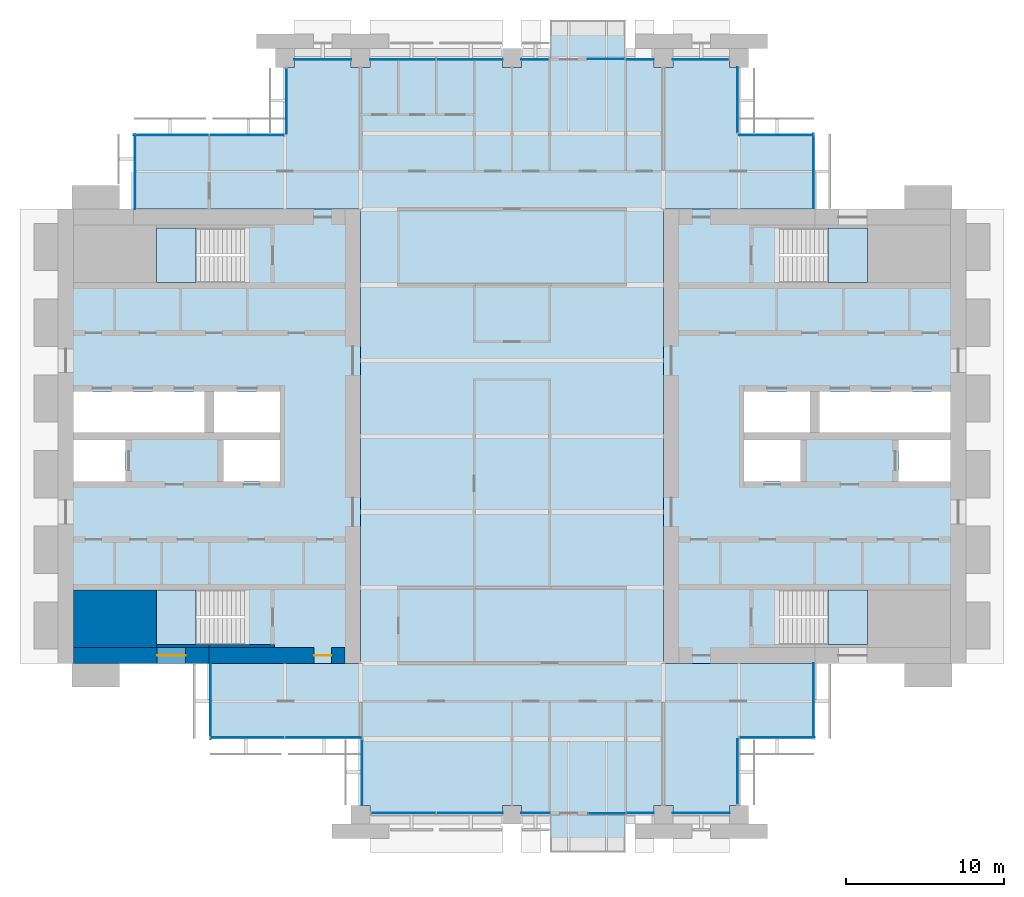
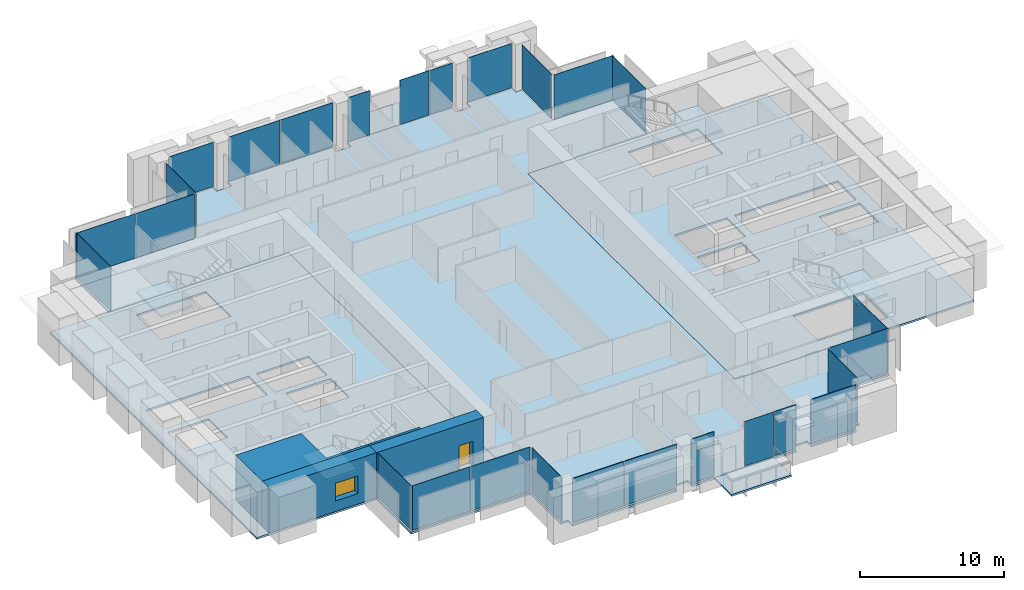
# One storey, part 8 of 15: 27 plates, 9 slabs, 5 walls, 1 door, 1 window, 2 openings, 22 elements without a shape of their own.
"""IFC4 building model written with IfcOpenShell, lengths in metres."""

from ifc_helpers import new_model, si_unit, direction, frame, frame_2d, origin, origin_2d, place, context, subcontext, project, spatial, polyline, rectangle, outline, extrude, material, layer, layer_set, type_object, element, fill, aggregate, save


model = new_model("IFC4")

# Units and contexts
model_context = context("Model", 3, precision=1e-05, world=origin(), true_north=direction((0.0, 1.0)))
body_context = subcontext(model_context, "Body", "Model", "MODEL_VIEW")
ifc_project = project(units=[si_unit("LENGTHUNIT", "METRE"), si_unit("AREAUNIT", "SQUARE_METRE"), si_unit("VOLUMEUNIT", "CUBIC_METRE"), si_unit("PLANEANGLEUNIT", "RADIAN"), si_unit("MASSUNIT", "GRAM", prefix="KILO")], contexts=[model_context])

# Site, building, storey
site_placement = place(None, origin())
site = spatial("IfcSite", under=ifc_project, at=site_placement, CompositionType="ELEMENT")
building_placement = place(site_placement, origin())
building = spatial("IfcBuilding", under=site, at=building_placement, Name="Baori Bourse Tower", CompositionType="ELEMENT")
storey_placement = place(building_placement, frame((0.0, 0.0, 164.10009765625)))
storey = spatial("IfcBuildingStorey", under=building, at=storey_placement, Name="L36", CompositionType="ELEMENT", Elevation=164.10009765625)

# Slabs
ifc_material_1 = material(Name="Concrete f'c 40 MPa", Category="concrete")
ifc_layer_1 = layer(ifc_material_1, 0.159912109375)
ifc_layer_set_1 = layer_set([ifc_layer_1], Name="BL2 Balcony slab 160")
slab_type_1 = type_object("IfcSlabType", Name="BL2 Balcony slab 160", PredefinedType="FLOOR", material=ifc_layer_set_1)
slab_1_placement = place(storey_placement, frame((0.0, 0.0, -0.16015625)))
element("IfcSlab", 1, at=slab_1_placement, inside=storey, type_object=slab_type_1, Name="Balcony slab L36 S", PredefinedType="FLOOR", context=body_context, shape_type="SweptSolid", body=[
    extrude(outline(polyline([(31.199951171875, 0.0), (31.199951171875, -2.39990234375), (36.0, -2.39990234375), (36.0, 0.0), (31.199951171875, 0.0)])), origin(), (0.0, 0.0, 1.0), 0.16015625),
])
slab_2_placement = place(storey_placement, frame((0.0, 0.0, -0.16015625)))
element("IfcSlab", 2, at=slab_2_placement, inside=storey, type_object=slab_type_1, Name="Balcony slab L36 N", PredefinedType="FLOOR", context=body_context, shape_type="SweptSolid", body=[
    extrude(outline(polyline([(31.199951171875, 48.0), (36.0, 48.0), (36.0, 50.39990234375), (31.199951171875, 50.39990234375), (31.199951171875, 48.0)])), origin(), (0.0, 0.0, 1.0), 0.16015625),
])

# Curtain wall, plates
ifc_material_2 = material(Name="Pale anodised aluminium", Category="aluminium")
curtain_wall_type_1 = type_object("IfcCurtainWallType", Name="CW1 Curtain wall", PredefinedType="NOTDEFINED", material=ifc_material_2)
curtain_wall_1_placement = place(storey_placement, origin())
curtain_wall_1 = element("IfcCurtainWall", 3, at=curtain_wall_1_placement, inside=storey, type_object=curtain_wall_type_1, Name="Curtain wall CW1 L36 4", PredefinedType="NOTDEFINED")
ifc_material_3 = material(Name="Clear glass", Category="glass")
ifc_layer_2 = layer(ifc_material_3, 0.033935546875)
ifc_layer_set_2 = layer_set([ifc_layer_2], Name="CW1 Curtain wall panel")
plate_type_1 = type_object("IfcPlateType", Name="CW1 Curtain wall panel", PredefinedType="CURTAIN_PANEL", material=ifc_layer_set_2)
plate_1_placement = place(storey_placement, frame((40.77001953125, 47.89990234375, 0.080078125), z_axis=(0.0, 0.0, 1.0), x_axis=(-1.0, 0.0, 0.0)))
plate_1 = element("IfcPlate", 4, at=plate_1_placement, type_object=plate_type_1, Name="Curtain wall CW1 panel", PredefinedType="CURTAIN_PANEL", context=body_context, shape_type="SweptSolid", body=[
    extrude(rectangle(XDim=3.5400390625, YDim=0.033935546875, at=origin_2d()), origin(), (0.0, 0.0, 1.0), 3.760009765625),
])
plate_2_placement = place(storey_placement, frame((36.89990234375, 47.89990234375, 0.080078125), z_axis=(0.0, 0.0, 1.0), x_axis=(-1.0, 0.0, 0.0)))
plate_2 = element("IfcPlate", 5, at=plate_2_placement, type_object=plate_type_1, Name="Curtain wall CW1 panel", PredefinedType="CURTAIN_PANEL", context=body_context, shape_type="SweptSolid", body=[
    extrude(rectangle(XDim=1.800048828125, YDim=0.033935546875, at=origin_2d()), origin(), (0.0, 0.0, 1.0), 3.760009765625),
])
aggregate(curtain_wall_1, [plate_1, plate_2])

curtain_wall_2_placement = place(storey_placement, origin())
curtain_wall_2 = element("IfcCurtainWall", 6, at=curtain_wall_2_placement, inside=storey, type_object=curtain_wall_type_1, Name="Curtain wall CW1 L36 6", PredefinedType="NOTDEFINED")
plate_3_placement = place(storey_placement, frame((30.27001953125, 47.89990234375, 0.080078125), z_axis=(0.0, 0.0, 1.0), x_axis=(-1.0, 0.0, 0.0)))
plate_3 = element("IfcPlate", 7, at=plate_3_placement, type_object=plate_type_1, Name="Curtain wall CW1 panel", PredefinedType="CURTAIN_PANEL", context=body_context, shape_type="SweptSolid", body=[
    extrude(rectangle(XDim=1.739990234375, YDim=0.033935546875, at=origin_2d()), origin(), (0.0, 0.0, 1.0), 3.760009765625),
])
plate_4_placement = place(storey_placement, frame((26.114990234375, 47.89990234375, 0.080078125), z_axis=(0.0, 0.0, 1.0), x_axis=(-1.0, 0.0, 0.0)))
plate_4 = element("IfcPlate", 8, at=plate_4_placement, type_object=plate_type_1, Name="Curtain wall CW1 panel", PredefinedType="CURTAIN_PANEL", context=body_context, shape_type="SweptSolid", body=[
    extrude(rectangle(XDim=4.169921875, YDim=0.033935546875, at=origin_2d()), origin(), (0.0, 0.0, 1.0), 3.760009765625),
])
plate_5_placement = place(storey_placement, frame((21.885009765625, 47.89990234375, 0.080078125), z_axis=(0.0, 0.0, 1.0), x_axis=(-1.0, 0.0, 0.0)))
plate_5 = element("IfcPlate", 9, at=plate_5_placement, type_object=plate_type_1, Name="Curtain wall CW1 panel", PredefinedType="CURTAIN_PANEL", context=body_context, shape_type="SweptSolid", body=[
    extrude(rectangle(XDim=4.169921875, YDim=0.033935546875, at=origin_2d()), origin(), (0.0, 0.0, 1.0), 3.760009765625),
])
plate_6_placement = place(storey_placement, frame((16.800048828125, 47.89990234375, 0.080078125), z_axis=(0.0, 0.0, 1.0), x_axis=(-1.0, 0.0, 0.0)))
plate_6 = element("IfcPlate", 10, at=plate_6_placement, type_object=plate_type_1, Name="Curtain wall CW1 panel", PredefinedType="CURTAIN_PANEL", context=body_context, shape_type="SweptSolid", body=[
    extrude(rectangle(XDim=3.60009765625, YDim=0.033935546875, at=origin_2d()), origin(), (0.0, 0.0, 1.0), 3.760009765625),
])
aggregate(curtain_wall_2, [plate_3, plate_4, plate_5, plate_6])

curtain_wall_3_placement = place(storey_placement, origin())
curtain_wall_3 = element("IfcCurtainWall", 11, at=curtain_wall_3_placement, inside=storey, type_object=curtain_wall_type_1, Name="Curtain wall CW1 L36 13", PredefinedType="NOTDEFINED")
plate_7_placement = place(storey_placement, frame((21.9150390625, 0.10009765625, 0.080078125), z_axis=(0.0, 0.0, 1.0), x_axis=(1.0, 0.0, 0.0)))
plate_7 = element("IfcPlate", 12, at=plate_7_placement, type_object=plate_type_1, Name="Curtain wall CW1 panel", PredefinedType="CURTAIN_PANEL", context=body_context, shape_type="SweptSolid", body=[
    extrude(rectangle(XDim=4.110107421875, YDim=0.033935546875, at=origin_2d()), origin(), (0.0, 0.0, 1.0), 3.760009765625),
])
plate_8_placement = place(storey_placement, frame((26.114990234375, 0.10009765625, 0.080078125), z_axis=(0.0, 0.0, 1.0), x_axis=(1.0, 0.0, 0.0)))
plate_8 = element("IfcPlate", 13, at=plate_8_placement, type_object=plate_type_1, Name="Curtain wall CW1 panel", PredefinedType="CURTAIN_PANEL", context=body_context, shape_type="SweptSolid", body=[
    extrude(rectangle(XDim=4.169921875, YDim=0.033935546875, at=origin_2d()), origin(), (0.0, 0.0, 1.0), 3.760009765625),
])
plate_9_placement = place(storey_placement, frame((30.300048828125, 0.10009765625, 0.080078125), z_axis=(0.0, 0.0, 1.0), x_axis=(1.0, 0.0, 0.0)))
plate_9 = element("IfcPlate", 14, at=plate_9_placement, type_object=plate_type_1, Name="Curtain wall CW1 panel", PredefinedType="CURTAIN_PANEL", context=body_context, shape_type="SweptSolid", body=[
    extrude(rectangle(XDim=1.800048828125, YDim=0.033935546875, at=origin_2d()), origin(), (0.0, 0.0, 1.0), 3.760009765625),
])
aggregate(curtain_wall_3, [plate_7, plate_8, plate_9])

curtain_wall_4_placement = place(storey_placement, origin())
curtain_wall_4 = element("IfcCurtainWall", 15, at=curtain_wall_4_placement, inside=storey, type_object=curtain_wall_type_1, Name="Curtain wall CW1 L36 15", PredefinedType="NOTDEFINED")
plate_10_placement = place(storey_placement, frame((36.929931640625, 0.10009765625, 0.080078125), z_axis=(0.0, 0.0, 1.0), x_axis=(1.0, 0.0, 0.0)))
plate_10 = element("IfcPlate", 16, at=plate_10_placement, type_object=plate_type_1, Name="Curtain wall CW1 panel", PredefinedType="CURTAIN_PANEL", context=body_context, shape_type="SweptSolid", body=[
    extrude(rectangle(XDim=1.739990234375, YDim=0.033935546875, at=origin_2d()), origin(), (0.0, 0.0, 1.0), 3.760009765625),
])
plate_11_placement = place(storey_placement, frame((40.800048828125, 0.10009765625, 0.080078125), z_axis=(0.0, 0.0, 1.0), x_axis=(1.0, 0.0, 0.0)))
plate_11 = element("IfcPlate", 17, at=plate_11_placement, type_object=plate_type_1, Name="Curtain wall CW1 panel", PredefinedType="CURTAIN_PANEL", context=body_context, shape_type="SweptSolid", body=[
    extrude(rectangle(XDim=3.60009765625, YDim=0.033935546875, at=origin_2d()), origin(), (0.0, 0.0, 1.0), 3.760009765625),
])
aggregate(curtain_wall_4, [plate_10, plate_11])

# Curtain wall, plate
ifc_material_4 = material(Name="Pale anodised aluminium", Category="aluminium")
curtain_wall_type_2 = type_object("IfcCurtainWallType", Name="CW2 Curtain wall", PredefinedType="NOTDEFINED", material=ifc_material_4)
curtain_wall_5_placement = place(storey_placement, origin())
curtain_wall_5 = element("IfcCurtainWall", 18, at=curtain_wall_5_placement, inside=storey, type_object=curtain_wall_type_2, Name="Curtain wall CW2 L36 1", PredefinedType="NOTDEFINED")
ifc_material_5 = material(Name="Clear glass", Category="glass")
ifc_layer_3 = layer(ifc_material_5, 0.030029296875)
ifc_layer_set_3 = layer_set([ifc_layer_3], Name="CW2 Curtain wall panel")
plate_type_2 = type_object("IfcPlateType", Name="CW2 Curtain wall panel", PredefinedType="CURTAIN_PANEL", material=ifc_layer_set_3)
plate_12_placement = place(storey_placement, frame((47.909912109375, 40.827392578125, 0.06982421875), z_axis=(0.0, 0.0, 1.0), x_axis=(0.0, 1.0, 0.0)))
plate_12 = element("IfcPlate", 19, at=plate_12_placement, type_object=plate_type_2, Name="Curtain wall CW2 panel", PredefinedType="CURTAIN_PANEL", context=body_context, shape_type="SweptSolid", body=[
    extrude(rectangle(XDim=4.7451171875, YDim=0.030029296875, at=origin_2d()), origin(), (0.0, 0.0, 1.0), 3.77001953125),
])
aggregate(curtain_wall_5, [plate_12])

curtain_wall_6_placement = place(storey_placement, origin())
curtain_wall_6 = element("IfcCurtainWall", 20, at=curtain_wall_6_placement, inside=storey, type_object=curtain_wall_type_2, Name="Curtain wall CW2 L36 2", PredefinedType="NOTDEFINED")
plate_13_placement = place(storey_placement, frame((45.572509765625, 43.110107421875, 0.06982421875), z_axis=(0.0, 0.0, 1.0), x_axis=(-1.0, 0.0, 0.0)))
plate_13 = element("IfcPlate", 21, at=plate_13_placement, type_object=plate_type_2, Name="Curtain wall CW2 panel", PredefinedType="CURTAIN_PANEL", context=body_context, shape_type="SweptSolid", body=[
    extrude(rectangle(XDim=4.7451171875, YDim=0.030029296875, at=origin_2d()), origin(), (0.0, 0.0, 1.0), 3.77001953125),
])
aggregate(curtain_wall_6, [plate_13])

curtain_wall_7_placement = place(storey_placement, origin())
curtain_wall_7 = element("IfcCurtainWall", 22, at=curtain_wall_7_placement, inside=storey, type_object=curtain_wall_type_2, Name="Curtain wall CW2 L36 3", PredefinedType="NOTDEFINED")
plate_14_placement = place(storey_placement, frame((43.110107421875, 45.327392578125, 0.06982421875), z_axis=(0.0, 0.0, 1.0), x_axis=(0.0, 1.0, 0.0)))
plate_14 = element("IfcPlate", 23, at=plate_14_placement, type_object=plate_type_2, Name="Curtain wall CW2 panel", PredefinedType="CURTAIN_PANEL", context=body_context, shape_type="SweptSolid", body=[
    extrude(rectangle(XDim=4.14501953125, YDim=0.030029296875, at=origin_2d()), origin(), (0.0, 0.0, 1.0), 3.77001953125),
])
aggregate(curtain_wall_7, [plate_14])

curtain_wall_8_placement = place(storey_placement, origin())
curtain_wall_8 = element("IfcCurtainWall", 24, at=curtain_wall_8_placement, inside=storey, type_object=curtain_wall_type_2, Name="Curtain wall CW2 L36 7", PredefinedType="NOTDEFINED")
plate_15_placement = place(storey_placement, frame((14.489990234375, 45.2724609375, 0.06982421875), z_axis=(0.0, 0.0, 1.0), x_axis=(0.0, -1.0, 0.0)))
plate_15 = element("IfcPlate", 25, at=plate_15_placement, type_object=plate_type_2, Name="Curtain wall CW2 panel", PredefinedType="CURTAIN_PANEL", context=body_context, shape_type="SweptSolid", body=[
    extrude(rectangle(XDim=4.14501953125, YDim=0.030029296875, at=origin_2d()), origin(), (0.0, 0.0, 1.0), 3.77001953125),
])
aggregate(curtain_wall_8, [plate_15])

# Curtain wall, plates
curtain_wall_9_placement = place(storey_placement, origin())
curtain_wall_9 = element("IfcCurtainWall", 26, at=curtain_wall_9_placement, inside=storey, type_object=curtain_wall_type_2, Name="Curtain wall CW2 L36 8", PredefinedType="NOTDEFINED")
plate_16_placement = place(storey_placement, frame((11.986328125, 43.110107421875, 0.06982421875), z_axis=(0.0, 0.0, 1.0), x_axis=(-1.0, 0.0, 0.0)))
plate_16 = element("IfcPlate", 27, at=plate_16_placement, type_object=plate_type_2, Name="Curtain wall CW2 panel", PredefinedType="CURTAIN_PANEL", context=body_context, shape_type="SweptSolid", body=[
    extrude(rectangle(XDim=4.717529296875, YDim=0.030029296875, at=origin_2d()), origin(), (0.0, 0.0, 1.0), 3.77001953125),
])
plate_17_placement = place(storey_placement, frame((7.186279296875, 43.110107421875, 0.06982421875), z_axis=(0.0, 0.0, 1.0), x_axis=(-1.0, 0.0, 0.0)))
plate_17 = element("IfcPlate", 28, at=plate_17_placement, type_object=plate_type_2, Name="Curtain wall CW2 panel", PredefinedType="CURTAIN_PANEL", context=body_context, shape_type="SweptSolid", body=[
    extrude(rectangle(XDim=4.7724609375, YDim=0.030029296875, at=origin_2d()), origin(), (0.0, 0.0, 1.0), 3.77001953125),
])
aggregate(curtain_wall_9, [plate_16, plate_17])

# Curtain wall, plate
curtain_wall_10_placement = place(storey_placement, origin())
curtain_wall_10 = element("IfcCurtainWall", 29, at=curtain_wall_10_placement, inside=storey, type_object=curtain_wall_type_2, Name="Curtain wall CW2 L36 9", PredefinedType="NOTDEFINED")
plate_18_placement = place(storey_placement, frame((4.889892578125, 40.7724609375, 0.06982421875), z_axis=(0.0, 0.0, 1.0), x_axis=(0.0, -1.0, 0.0)))
plate_18 = element("IfcPlate", 30, at=plate_18_placement, type_object=plate_type_2, Name="Curtain wall CW2 panel", PredefinedType="CURTAIN_PANEL", context=body_context, shape_type="SweptSolid", body=[
    extrude(rectangle(XDim=4.7451171875, YDim=0.030029296875, at=origin_2d()), origin(), (0.0, 0.0, 1.0), 3.77001953125),
])
aggregate(curtain_wall_10, [plate_18])

curtain_wall_11_placement = place(storey_placement, origin())
curtain_wall_11 = element("IfcCurtainWall", 31, at=curtain_wall_11_placement, inside=storey, type_object=curtain_wall_type_2, Name="Curtain wall CW2 L36 10", PredefinedType="NOTDEFINED")
plate_19_placement = place(storey_placement, frame((9.68994140625, 7.172607421875, 0.06982421875), z_axis=(0.0, 0.0, 1.0), x_axis=(0.0, -1.0, 0.0)))
plate_19 = element("IfcPlate", 32, at=plate_19_placement, type_object=plate_type_2, Name="Curtain wall CW2 panel", PredefinedType="CURTAIN_PANEL", context=body_context, shape_type="SweptSolid", body=[
    extrude(rectangle(XDim=4.7451171875, YDim=0.030029296875, at=origin_2d()), origin(), (0.0, 0.0, 1.0), 3.77001953125),
])
aggregate(curtain_wall_11, [plate_19])

# Curtain wall, plates
curtain_wall_12_placement = place(storey_placement, origin())
curtain_wall_12 = element("IfcCurtainWall", 33, at=curtain_wall_12_placement, inside=storey, type_object=curtain_wall_type_2, Name="Curtain wall CW2 L36 11", PredefinedType="NOTDEFINED")
plate_20_placement = place(storey_placement, frame((12.013671875, 4.889892578125, 0.06982421875), z_axis=(0.0, 0.0, 1.0), x_axis=(1.0, 0.0, 0.0)))
plate_20 = element("IfcPlate", 34, at=plate_20_placement, type_object=plate_type_2, Name="Curtain wall CW2 panel", PredefinedType="CURTAIN_PANEL", context=body_context, shape_type="SweptSolid", body=[
    extrude(rectangle(XDim=4.717529296875, YDim=0.030029296875, at=origin_2d()), origin(), (0.0, 0.0, 1.0), 3.77001953125),
])
plate_21_placement = place(storey_placement, frame((16.813720703125, 4.889892578125, 0.06982421875), z_axis=(0.0, 0.0, 1.0), x_axis=(1.0, 0.0, 0.0)))
plate_21 = element("IfcPlate", 35, at=plate_21_placement, type_object=plate_type_2, Name="Curtain wall CW2 panel", PredefinedType="CURTAIN_PANEL", context=body_context, shape_type="SweptSolid", body=[
    extrude(rectangle(XDim=4.7724609375, YDim=0.030029296875, at=origin_2d()), origin(), (0.0, 0.0, 1.0), 3.77001953125),
])
aggregate(curtain_wall_12, [plate_20, plate_21])

# Curtain wall, plate
curtain_wall_13_placement = place(storey_placement, origin())
curtain_wall_13 = element("IfcCurtainWall", 36, at=curtain_wall_13_placement, inside=storey, type_object=curtain_wall_type_2, Name="Curtain wall CW2 L36 12", PredefinedType="NOTDEFINED")
plate_22_placement = place(storey_placement, frame((19.2900390625, 2.672607421875, 0.06982421875), z_axis=(0.0, 0.0, 1.0), x_axis=(0.0, -1.0, 0.0)))
plate_22 = element("IfcPlate", 37, at=plate_22_placement, type_object=plate_type_2, Name="Curtain wall CW2 panel", PredefinedType="CURTAIN_PANEL", context=body_context, shape_type="SweptSolid", body=[
    extrude(rectangle(XDim=4.14501953125, YDim=0.030029296875, at=origin_2d()), origin(), (0.0, 0.0, 1.0), 3.77001953125),
])
aggregate(curtain_wall_13, [plate_22])

curtain_wall_14_placement = place(storey_placement, origin())
curtain_wall_14 = element("IfcCurtainWall", 38, at=curtain_wall_14_placement, inside=storey, type_object=curtain_wall_type_2, Name="Curtain wall CW2 L36 16", PredefinedType="NOTDEFINED")
plate_23_placement = place(storey_placement, frame((43.110107421875, 2.7275390625, 0.06982421875), z_axis=(0.0, 0.0, 1.0), x_axis=(0.0, 1.0, 0.0)))
plate_23 = element("IfcPlate", 39, at=plate_23_placement, type_object=plate_type_2, Name="Curtain wall CW2 panel", PredefinedType="CURTAIN_PANEL", context=body_context, shape_type="SweptSolid", body=[
    extrude(rectangle(XDim=4.14501953125, YDim=0.030029296875, at=origin_2d()), origin(), (0.0, 0.0, 1.0), 3.77001953125),
])
aggregate(curtain_wall_14, [plate_23])

curtain_wall_15_placement = place(storey_placement, origin())
curtain_wall_15 = element("IfcCurtainWall", 40, at=curtain_wall_15_placement, inside=storey, type_object=curtain_wall_type_2, Name="Curtain wall CW2 L36 17", PredefinedType="NOTDEFINED")
plate_24_placement = place(storey_placement, frame((45.62744140625, 4.889892578125, 0.06982421875), z_axis=(0.0, 0.0, 1.0), x_axis=(1.0, 0.0, 0.0)))
plate_24 = element("IfcPlate", 41, at=plate_24_placement, type_object=plate_type_2, Name="Curtain wall CW2 panel", PredefinedType="CURTAIN_PANEL", context=body_context, shape_type="SweptSolid", body=[
    extrude(rectangle(XDim=4.7451171875, YDim=0.030029296875, at=origin_2d()), origin(), (0.0, 0.0, 1.0), 3.77001953125),
])
aggregate(curtain_wall_15, [plate_24])

curtain_wall_16_placement = place(storey_placement, origin())
curtain_wall_16 = element("IfcCurtainWall", 42, at=curtain_wall_16_placement, inside=storey, type_object=curtain_wall_type_2, Name="Curtain wall CW2 L36 18", PredefinedType="NOTDEFINED")
plate_25_placement = place(storey_placement, frame((47.909912109375, 7.2275390625, 0.06982421875), z_axis=(0.0, 0.0, 1.0), x_axis=(0.0, 1.0, 0.0)))
plate_25 = element("IfcPlate", 43, at=plate_25_placement, type_object=plate_type_2, Name="Curtain wall CW2 panel", PredefinedType="CURTAIN_PANEL", context=body_context, shape_type="SweptSolid", body=[
    extrude(rectangle(XDim=4.7451171875, YDim=0.030029296875, at=origin_2d()), origin(), (0.0, 0.0, 1.0), 3.77001953125),
])
aggregate(curtain_wall_16, [plate_25])

ifc_material_6 = material(Name="Pale anodised aluminium", Category="aluminium")
curtain_wall_type_3 = type_object("IfcCurtainWallType", Name="CW6 Curtain wall", PredefinedType="NOTDEFINED", material=ifc_material_6)
curtain_wall_17_placement = place(storey_placement, origin())
curtain_wall_17 = element("IfcCurtainWall", 44, at=curtain_wall_17_placement, inside=storey, type_object=curtain_wall_type_3, Name="Curtain wall CW6 L36 5", PredefinedType="NOTDEFINED")
ifc_material_7 = material(Name="Clear glass", Category="glass")
ifc_layer_4 = layer(ifc_material_7, 0.028076171875)
ifc_layer_set_4 = layer_set([ifc_layer_4], Name="CW6 Curtain wall panel")
plate_type_3 = type_object("IfcPlateType", Name="CW6 Curtain wall panel", PredefinedType="CURTAIN_PANEL", material=ifc_layer_set_4)
plate_26_placement = place(storey_placement, frame((34.77490234375, 47.925048828125, 0.06494140625), z_axis=(0.0, 0.0, 1.0), x_axis=(-1.0, 0.0, 0.0)))
plate_26 = element("IfcPlate", 45, at=plate_26_placement, type_object=plate_type_3, Name="Curtain wall CW6 panel", PredefinedType="CURTAIN_PANEL", context=body_context, shape_type="SweptSolid", body=[
    extrude(rectangle(XDim=2.35009765625, YDim=0.028076171875, at=origin_2d()), origin(), (0.0, 0.0, 1.0), 3.77490234375),
])
aggregate(curtain_wall_17, [plate_26])

curtain_wall_18_placement = place(storey_placement, origin())
curtain_wall_18 = element("IfcCurtainWall", 46, at=curtain_wall_18_placement, inside=storey, type_object=curtain_wall_type_3, Name="Curtain wall CW6 L36 14", PredefinedType="NOTDEFINED")
plate_27_placement = place(storey_placement, frame((34.824951171875, 0.074951171875, 0.06494140625), z_axis=(0.0, 0.0, 1.0), x_axis=(1.0, 0.0, 0.0)))
plate_27 = element("IfcPlate", 47, at=plate_27_placement, type_object=plate_type_3, Name="Curtain wall CW6 panel", PredefinedType="CURTAIN_PANEL", context=body_context, shape_type="SweptSolid", body=[
    extrude(rectangle(XDim=2.35009765625, YDim=0.028076171875, at=origin_2d()), origin(), (0.0, 0.0, 1.0), 3.77490234375),
])
aggregate(curtain_wall_18, [plate_27])

# Slabs
ifc_material_8 = material(Name="Concrete f'c 50 MPa", Category="concrete")
ifc_layer_5 = layer(ifc_material_8, 0.159912109375)
ifc_layer_set_5 = layer_set([ifc_layer_5], Name="Core slab 160")
slab_type_2 = type_object("IfcSlabType", Name="Core slab 160", PredefinedType="FLOOR", material=ifc_layer_set_5)
slab_3_placement = place(storey_placement, frame((0.0, 0.0, -0.16015625)))
element("IfcSlab", 48, at=slab_3_placement, inside=storey, type_object=slab_type_2, Name="Core floor slab W01", PredefinedType="FLOOR", context=body_context, shape_type="SweptSolid", body=[
    extrude(outline(polyline([(0.0, 38.39990234375), (0.0, 9.60009765625), (19.199951171875, 9.60009765625), (19.199951171875, 38.39990234375), (0.0, 38.39990234375)]), holes=[polyline([(10.5, 21.14990234375), (10.5, 23.75), (14.10009765625, 23.75), (14.10009765625, 21.14990234375), (10.5, 21.14990234375)]), polyline([(14.10009765625, 24.25), (9.89990234375, 24.25), (9.89990234375, 26.85009765625), (14.10009765625, 26.85009765625), (14.10009765625, 24.25)]), polyline([(6.25, 14.25), (11.84912109375, 14.25), (11.84912109375, 10.800048828125), (6.25, 10.800048828125), (6.25, 14.25)]), polyline([(11.84912109375, 37.199951171875), (11.84912109375, 33.75), (6.25, 33.75), (6.25, 37.199951171875), (11.84912109375, 37.199951171875)]), polyline([(1.0, 26.85009765625), (9.300048828125, 26.85009765625), (9.300048828125, 24.25), (1.0, 24.25), (1.0, 26.85009765625)]), polyline([(4.300048828125, 23.75), (4.300048828125, 21.14990234375), (1.0, 21.14990234375), (1.0, 23.75), (4.300048828125, 23.75)])]), origin(), (0.0, 0.0, 1.0), 0.16015625),
])
slab_4_placement = place(storey_placement, frame((0.0, 0.0, -0.16015625)))
element("IfcSlab", 49, at=slab_4_placement, inside=storey, type_object=slab_type_2, Name="Core floor slab E01", PredefinedType="FLOOR", context=body_context, shape_type="SweptSolid", body=[
    extrude(outline(polyline([(57.60009765625, 38.39990234375), (38.39990234375, 38.39990234375), (38.39990234375, 9.60009765625), (57.60009765625, 9.60009765625), (57.60009765625, 38.39990234375)]), holes=[polyline([(56.60009765625, 21.14990234375), (53.300048828125, 21.14990234375), (53.300048828125, 23.75), (56.60009765625, 23.75), (56.60009765625, 21.14990234375)]), polyline([(56.60009765625, 26.85009765625), (56.60009765625, 24.25), (48.300048828125, 24.25), (48.300048828125, 26.85009765625), (56.60009765625, 26.85009765625)]), polyline([(45.750732421875, 14.25), (51.35009765625, 14.25), (51.35009765625, 10.800048828125), (45.750732421875, 10.800048828125), (45.750732421875, 14.25)]), polyline([(51.35009765625, 37.199951171875), (51.35009765625, 33.75), (45.750732421875, 33.75), (45.750732421875, 37.199951171875), (51.35009765625, 37.199951171875)]), polyline([(43.5, 24.25), (43.5, 26.85009765625), (47.699951171875, 26.85009765625), (47.699951171875, 24.25), (43.5, 24.25)]), polyline([(43.5, 23.75), (47.10009765625, 23.75), (47.10009765625, 21.14990234375), (43.5, 21.14990234375), (43.5, 23.75)])]), origin(), (0.0, 0.0, 1.0), 0.16015625),
])

# Stair, slab
ifc_material_9 = material(Name="Concrete f'c 50 MPa", Category="concrete")
stair_type = type_object("IfcStairType", Name="Core stair", PredefinedType="HALF_TURN_STAIR", material=ifc_material_9)
stair_1_placement = place(storey_placement, origin())
stair_1 = element("IfcStair", 50, at=stair_1_placement, inside=storey, type_object=stair_type, Name="L36 Stair WA", PredefinedType="HALF_TURN_STAIR")
ifc_material_10 = material(Name="Concrete f'c 50 MPa", Category="concrete")
slab_type_3 = type_object("IfcSlabType", Name="Core stair landing", PredefinedType="LANDING", material=ifc_material_10)
slab_5_placement = place(storey_placement, frame((0.0, 0.0, 1.7998046875)))
slab_5 = element("IfcSlab", 51, at=slab_5_placement, type_object=slab_type_3, Name="ST1 landing 1", PredefinedType="LANDING", context=body_context, shape_type="SweptSolid", body=[
    extrude(outline(polyline([(8.77001953125, 14.25), (6.25, 14.25), (6.25, 10.800048828125), (8.77001953125, 10.800048828125), (8.77001953125, 14.25)])), origin(), (0.0, 0.0, 1.0), 0.2001953125),
])
aggregate(stair_1, [slab_5])

stair_2_placement = place(storey_placement, origin())
stair_2 = element("IfcStair", 52, at=stair_2_placement, inside=storey, type_object=stair_type, Name="L36 Stair WB", PredefinedType="HALF_TURN_STAIR")
slab_6_placement = place(storey_placement, frame((0.0, 0.0, 1.7998046875)))
slab_6 = element("IfcSlab", 53, at=slab_6_placement, type_object=slab_type_3, Name="ST2 landing 1", PredefinedType="LANDING", context=body_context, shape_type="SweptSolid", body=[
    extrude(outline(polyline([(8.77001953125, 37.199951171875), (6.25, 37.199951171875), (6.25, 33.75), (8.77001953125, 33.75), (8.77001953125, 37.199951171875)])), origin(), (0.0, 0.0, 1.0), 0.2001953125),
])
aggregate(stair_2, [slab_6])

stair_3_placement = place(storey_placement, origin())
stair_3 = element("IfcStair", 54, at=stair_3_placement, inside=storey, type_object=stair_type, Name="L36 Stair EA", PredefinedType="HALF_TURN_STAIR")
slab_7_placement = place(storey_placement, frame((0.0, 0.0, 1.7998046875)))
slab_7 = element("IfcSlab", 55, at=slab_7_placement, type_object=slab_type_3, Name="ST3 landing 1", PredefinedType="LANDING", context=body_context, shape_type="SweptSolid", body=[
    extrude(outline(polyline([(48.830078125, 10.800048828125), (51.35009765625, 10.800048828125), (51.35009765625, 14.25), (48.830078125, 14.25), (48.830078125, 10.800048828125)])), origin(), (0.0, 0.0, 1.0), 0.2001953125),
])
aggregate(stair_3, [slab_7])

stair_4_placement = place(storey_placement, origin())
stair_4 = element("IfcStair", 56, at=stair_4_placement, inside=storey, type_object=stair_type, Name="L36 Stair EB", PredefinedType="HALF_TURN_STAIR")
slab_8_placement = place(storey_placement, frame((0.0, 0.0, 1.7998046875)))
slab_8 = element("IfcSlab", 57, at=slab_8_placement, type_object=slab_type_3, Name="ST4 landing 1", PredefinedType="LANDING", context=body_context, shape_type="SweptSolid", body=[
    extrude(outline(polyline([(48.830078125, 33.75), (51.35009765625, 33.75), (51.35009765625, 37.199951171875), (48.830078125, 37.199951171875), (48.830078125, 33.75)])), origin(), (0.0, 0.0, 1.0), 0.2001953125),
])
aggregate(stair_4, [slab_8])

# Slab
ifc_material_11 = material(Name="Concrete f'c 40 MPa", Category="concrete")
ifc_layer_6 = layer(ifc_material_11, 0.159912109375)
ifc_layer_set_6 = layer_set([ifc_layer_6], Name="Floor slab 160")
slab_type_4 = type_object("IfcSlabType", Name="Floor slab 160", PredefinedType="FLOOR", material=ifc_layer_set_6)
slab_9_placement = place(storey_placement, frame((0.0, 0.0, -0.16015625)))
element("IfcSlab", 58, at=slab_9_placement, inside=storey, type_object=slab_type_4, Name="Floor slab L36", PredefinedType="FLOOR", context=body_context, shape_type="SweptSolid", body=[
    extrude(outline(polyline([(19.199951171875, 4.800048828125), (9.60009765625, 4.800048828125), (9.60009765625, 9.60009765625), (19.199951171875, 9.60009765625), (19.199951171875, 38.39990234375), (4.800048828125, 38.39990234375), (4.800048828125, 43.199951171875), (14.39990234375, 43.199951171875), (14.39990234375, 47.39990234375), (15.0, 47.39990234375), (15.0, 48.0), (18.60009765625, 48.0), (18.60009765625, 47.39990234375), (19.800048828125, 47.39990234375), (19.800048828125, 48.0), (28.199951171875, 48.0), (28.199951171875, 47.39990234375), (29.39990234375, 47.39990234375), (29.39990234375, 48.0), (37.800048828125, 48.0), (37.800048828125, 47.39990234375), (39.0, 47.39990234375), (39.0, 48.0), (42.60009765625, 48.0), (42.60009765625, 47.39990234375), (43.199951171875, 47.39990234375), (43.199951171875, 43.199951171875), (48.0, 43.199951171875), (48.0, 38.39990234375), (38.39990234375, 38.39990234375), (38.39990234375, 9.60009765625), (48.0, 9.60009765625), (48.0, 4.800048828125), (43.199951171875, 4.800048828125), (43.199951171875, 0.60009765625), (42.60009765625, 0.60009765625), (42.60009765625, 0.0), (39.0, 0.0), (39.0, 0.60009765625), (37.800048828125, 0.60009765625), (37.800048828125, 0.0), (29.39990234375, 0.0), (29.39990234375, 0.60009765625), (28.199951171875, 0.60009765625), (28.199951171875, 0.0), (19.800048828125, 0.0), (19.800048828125, 0.60009765625), (19.199951171875, 0.60009765625), (19.199951171875, 4.800048828125)])), origin(), (0.0, 0.0, 1.0), 0.16015625),
])

# Wall
ifc_material_12 = material(Name="Concrete f'c 60 MPa", Category="concrete")
wall_type_1 = type_object("IfcWallType", Name="Core corner block f'c 60", PredefinedType="SHEAR", material=ifc_material_12)
wall_1_placement = place(storey_placement, frame((1.0, 12.425048828125, 0.0), z_axis=(0.0, 0.0, 1.0), x_axis=(1.0, 0.0, 0.0)))
element("IfcWall", 59, at=wall_1_placement, inside=storey, type_object=wall_type_1, Name="Core wall W05", PredefinedType="SHEAR", context=body_context, shape_type="SweptSolid", body=[
    extrude(rectangle(XDim=5.25, YDim=3.64990234375, at=frame_2d((2.625, 0.0))), origin(), (0.0, 0.0, 1.0), 3.83984375),
])

# Wall, opening, window
ifc_material_13 = material(Name="Concrete f'c 60 MPa", Category="concrete")
ifc_layer_7 = layer(ifc_material_13, 1.0)
ifc_layer_set_7 = layer_set([ifc_layer_7], Name="Core wall 1000 f'c 60")
wall_type_2 = type_object("IfcWallType", Name="Core wall 1000 f'c 60", PredefinedType="SHEAR", material=ifc_layer_set_7)
wall_2_placement = place(storey_placement, frame((9.60009765625, 10.10009765625, 0.0), z_axis=(0.0, 0.0, 1.0), x_axis=(-1.0, 0.0, 0.0)))
wall_2 = element("IfcWall", 60, at=wall_2_placement, inside=storey, type_object=wall_type_2, Name="Core wall W02", PredefinedType="SHEAR", context=body_context, shape_type="SweptSolid", body=[
    extrude(rectangle(XDim=8.60009765625, YDim=1.0, at=frame_2d((4.300048828125, 0.0))), origin(), (0.0, 0.0, 1.0), 3.83984375),
])
opening_1_placement = place(wall_2_placement, frame((1.5, 0.0, 0.89990234375)))
opening_1 = element("IfcOpeningElement", 61, at=opening_1_placement, cuts=wall_2, Name="Opening L36-KW103", PredefinedType="OPENING", context=body_context, shape_type="SweptSolid", body=[
    extrude(rectangle(XDim=1.800048828125, YDim=1.5, at=frame_2d((0.89990234375, 0.75))), frame((0.0, 0.510009765625, 0.0), z_axis=(0.0, -1.0, 0.0), x_axis=(1.0, 0.0, 0.0)), (0.0, 0.0, 1.0), 1.02001953125),
])
ifc_material_14 = material(Name="Pale anodised aluminium", Category="aluminium")
window_type = type_object("IfcWindowType", Name="Stair window 1800 x 1500", PartitioningType="SINGLE_PANEL", PredefinedType="WINDOW", material=ifc_material_14)
window_placement = place(opening_1_placement, origin())
window = element("IfcWindow", 62, at=window_placement, inside=storey, type_object=window_type, Name="Stair window W L36 3", OverallHeight=1.5, OverallWidth=1.800048828125, PartitioningType="SINGLE_PANEL", PredefinedType="WINDOW", context=body_context, shape_type="SweptSolid", body=[
    extrude(rectangle(XDim=1.800048828125, YDim=1.5, at=frame_2d((0.89990234375, 0.75))), frame((0.0, 0.030029296875, 0.0), z_axis=(0.0, -1.0, 0.0), x_axis=(1.0, 0.0, 0.0)), (0.0, 0.0, 1.0), 0.06005859375),
])
fill(opening_1, window)

# Wall, opening, door
wall_3_placement = place(storey_placement, frame((18.199951171875, 10.10009765625, 0.0), z_axis=(0.0, 0.0, 1.0), x_axis=(-1.0, 0.0, 0.0)))
wall_3 = element("IfcWall", 63, at=wall_3_placement, inside=storey, type_object=wall_type_2, Name="Core wall W03", PredefinedType="SHEAR", context=body_context, shape_type="SweptSolid", body=[
    extrude(rectangle(XDim=8.599853515625, YDim=1.0, at=frame_2d((4.2998046875, 0.0))), origin(), (0.0, 0.0, 1.0), 3.83984375),
])
opening_2_placement = place(wall_3_placement, frame((0.85009765625, 0.0, 0.0)))
opening_2 = element("IfcOpeningElement", 64, at=opening_2_placement, cuts=wall_3, Name="Opening L36-D102", PredefinedType="OPENING", context=body_context, shape_type="SweptSolid", body=[
    extrude(rectangle(XDim=1.10009765625, YDim=2.10009765625, at=frame_2d((0.550048828125, 1.050048828125))), frame((0.0, 0.510009765625, 0.0), z_axis=(0.0, -1.0, 0.0), x_axis=(1.0, 0.0, 0.0)), (0.0, 0.0, 1.0), 1.02001953125),
])
ifc_material_15 = material(Name="Painted steel door", Category="steel")
door_type = type_object("IfcDoorType", Name="Stair door 1100", OperationType="SINGLE_SWING_LEFT", PredefinedType="DOOR", material=ifc_material_15)
door_placement = place(opening_2_placement, origin())
door = element("IfcDoor", 65, at=door_placement, inside=storey, type_object=door_type, Name="Stair vestibule door A W L36", OperationType="SINGLE_SWING_LEFT", OverallHeight=2.10009765625, OverallWidth=1.10009765625, PredefinedType="DOOR", context=body_context, shape_type="SweptSolid", body=[
    extrude(rectangle(XDim=1.10009765625, YDim=2.10009765625, at=frame_2d((0.550048828125, 1.050048828125))), frame((0.0, 0.02490234375, 0.0), z_axis=(0.0, -1.0, 0.0), x_axis=(1.0, 0.0, 0.0)), (0.0, 0.0, 1.0), 0.050048828125),
])
fill(opening_2, door)

# Walls
ifc_material_16 = material(Name="Concrete f'c 60 MPa", Category="concrete")
ifc_layer_8 = layer(ifc_material_16, 0.199951171875)
ifc_layer_set_8 = layer_set([ifc_layer_8], Name="Shaft wall 200 f'c 60")
wall_type_3 = type_object("IfcWallType", Name="Shaft wall 200 f'c 60", PredefinedType="SHEAR", material=ifc_layer_set_8)
wall_4_placement = place(storey_placement, frame((6.25, 10.699951171875, 0.0), z_axis=(0.0, 0.0, 1.0), x_axis=(1.0, 0.0, 0.0)))
element("IfcWall", 66, at=wall_4_placement, inside=storey, type_object=wall_type_3, Name="Core wall W06", PredefinedType="SHEAR", context=body_context, shape_type="SweptSolid", body=[
    extrude(rectangle(XDim=3.35009765625, YDim=0.199951171875, at=frame_2d((1.675048828125, 0.0))), origin(), (0.0, 0.0, 1.0), 3.83984375),
])
wall_5_placement = place(storey_placement, frame((9.60009765625, 10.699951171875, 0.0), z_axis=(0.0, 0.0, 1.0), x_axis=(1.0, 0.0, 0.0)))
element("IfcWall", 67, at=wall_5_placement, inside=storey, type_object=wall_type_3, Name="Core wall W07", PredefinedType="SHEAR", context=body_context, shape_type="SweptSolid", body=[
    extrude(rectangle(XDim=4.14990234375, YDim=0.199951171875, at=frame_2d((2.074951171875, 0.0))), origin(), (0.0, 0.0, 1.0), 3.83984375),
])

save(model, "model.ifc")
